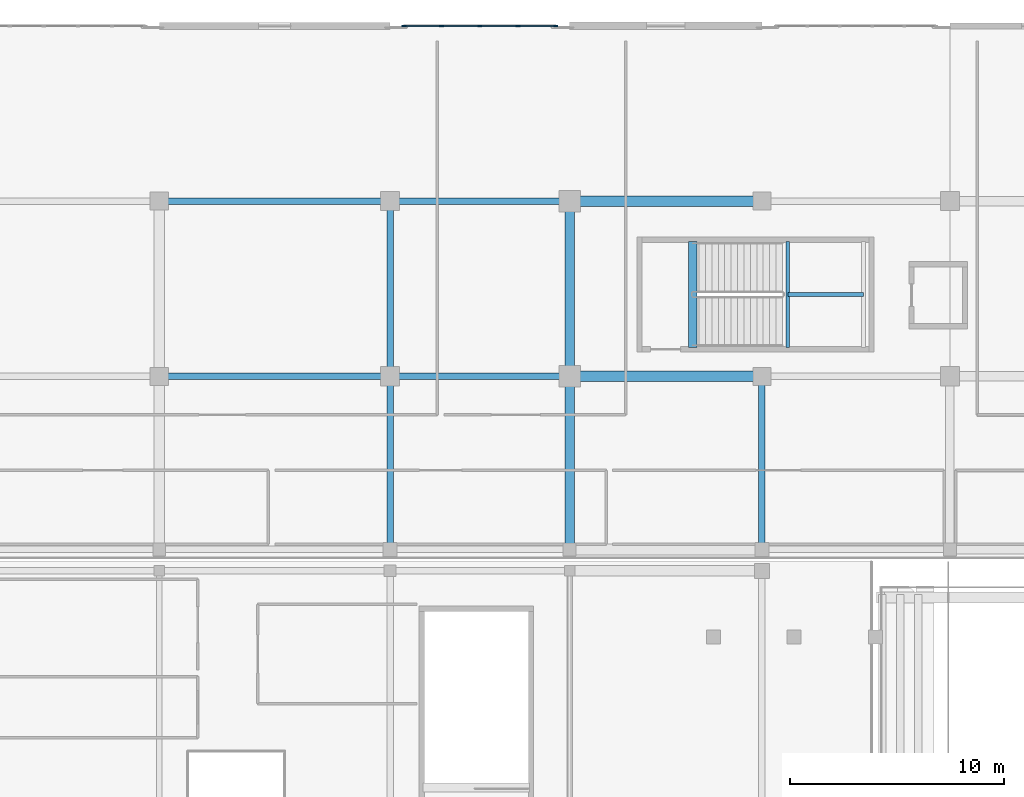
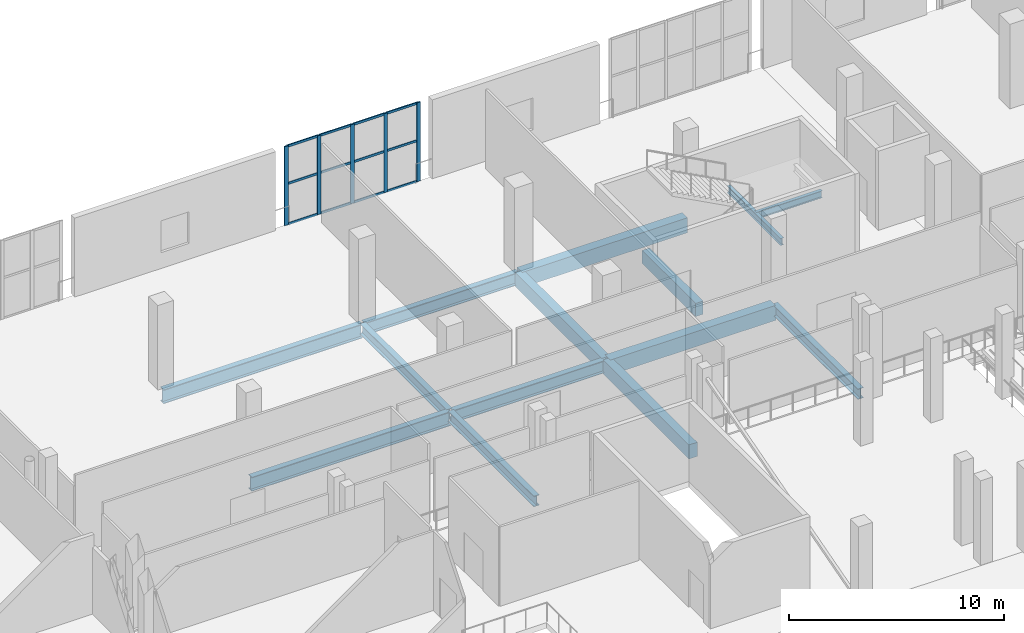
# One storey, part 49 of 129: 17 members, 14 beams, 1 element without a shape of its own.
"""IFC4 building model written with IfcOpenShell, lengths in metres."""

from ifc_helpers import new_model, si_unit, direction, frame, origin, origin_2d, place, context, subcontext, project, spatial, rectangle, i_section, extrude, material, material_profile, profile_set, type_object, element, aggregate, save


model = new_model("IFC4")

# Units and contexts
model_context = context("Model", 3, precision=1e-05, world=origin(), true_north=direction((0.0, 1.0)))
body_context = subcontext(model_context, "Body", "Model", "MODEL_VIEW")
ifc_project = project(units=[si_unit("LENGTHUNIT", "METRE"), si_unit("AREAUNIT", "SQUARE_METRE"), si_unit("VOLUMEUNIT", "CUBIC_METRE"), si_unit("PLANEANGLEUNIT", "RADIAN"), si_unit("MASSUNIT", "GRAM", prefix="KILO")], contexts=[model_context])

# Site, building, storey
site_placement = place(None, origin())
site = spatial("IfcSite", under=ifc_project, at=site_placement, CompositionType="ELEMENT")
building_placement = place(site_placement, origin())
building = spatial("IfcBuilding", under=site, at=building_placement, Name="Koshinbarg Plaza Stadium", CompositionType="ELEMENT")
storey_placement = place(building_placement, frame((0.0, 0.0, 5.39990234375)))
storey = spatial("IfcBuildingStorey", under=building, at=storey_placement, Name="L01", CompositionType="ELEMENT", Elevation=5.39990234375)

# Beams
ifc_material_1 = material(Name="Concrete C40/50", Category="concrete")
ifc_material_profile_1 = material_profile(ifc_material_1, rectangle(XDim=0.39990234375, YDim=0.75, at=origin_2d()), Name="RC 400x750")
ifc_profile_set_1 = profile_set([ifc_material_profile_1], Name="Concrete C40/50")
beam_type_1 = type_object("IfcBeamType", Name="BM-RCG-03", PredefinedType="USERDEFINED", material=ifc_profile_set_1)
beam_1_placement = place(storey_placement, frame((60.360107421875, 136.949951171875, -0.375), z_axis=(0.0, 1.0, 0.0), x_axis=(-1.0, 0.0, 0.0)))
element("IfcBeam", 1, at=beam_1_placement, inside=storey, type_object=beam_type_1, Name="L01 stair landing header beam C11", ObjectType="GIRDER", PredefinedType="USERDEFINED", context=body_context, shape_type="SweptSolid", body=[
    extrude(rectangle(XDim=0.39990234375, YDim=0.75, at=origin_2d()), origin(), (0.0, 0.0, 1.0), 4.969970703125),
])
ifc_material_profile_2 = material_profile(ifc_material_1, rectangle(XDim=0.449951171875, YDim=0.800048828125, at=origin_2d()), Name="RC 450x800")
ifc_profile_set_2 = profile_set([ifc_material_profile_2], Name="Concrete C40/50")
beam_type_2 = type_object("IfcBeamType", Name="BM-RCG-04", PredefinedType="USERDEFINED", material=ifc_profile_set_2)
beam_2_placement = place(storey_placement, frame((54.60009765625, 127.56005859375, -0.719970703125), z_axis=(0.0, 1.0, 0.0), x_axis=(-1.0, 0.0, 0.0)))
element("IfcBeam", 2, at=beam_2_placement, inside=storey, type_object=beam_type_2, Name="L01 Y girder 8/S-T", ObjectType="GIRDER", PredefinedType="USERDEFINED", context=body_context, shape_type="SweptSolid", body=[
    extrude(rectangle(XDim=0.449951171875, YDim=0.800048828125, at=origin_2d()), origin(), (0.0, 0.0, 1.0), 7.97998046875),
])
beam_3_placement = place(storey_placement, frame((54.60009765625, 135.659912109375, -0.719970703125), z_axis=(0.0, 1.0, 0.0), x_axis=(-1.0, 0.0, 0.0)))
element("IfcBeam", 3, at=beam_3_placement, inside=storey, type_object=beam_type_2, Name="L01 Y girder 8/T-U", ObjectType="GIRDER", PredefinedType="USERDEFINED", context=body_context, shape_type="SweptSolid", body=[
    extrude(rectangle(XDim=0.449951171875, YDim=0.800048828125, at=origin_2d()), origin(), (0.0, 0.0, 1.0), 8.080078125),
])
ifc_material_profile_3 = material_profile(ifc_material_1, rectangle(XDim=0.5, YDim=0.85009765625, at=origin_2d()), Name="RC 500x850")
ifc_profile_set_3 = profile_set([ifc_material_profile_3], Name="Concrete C40/50")
beam_type_3 = type_object("IfcBeamType", Name="BM-RCG-05", PredefinedType="USERDEFINED", material=ifc_profile_set_3)
for number, where, z_axis, x_axis, name in (
    (4, (54.659912109375, 135.60009765625, -0.744873046875), (1.0, 0.0, 0.0), (0.0, 1.0, 0.0), "L01 X girder T/8-9"),
    (5, (54.659912109375, 143.800048828125, -0.744873046875), (1.0, 0.0, 0.0), (0.0, 1.0, 0.0), "L01 X girder U/8-9"),
):
    element("IfcBeam", number, at=place(storey_placement, frame(where, z_axis=z_axis, x_axis=x_axis)), inside=storey, type_object=beam_type_3, Name=name, ObjectType="GIRDER", PredefinedType="USERDEFINED", context=body_context, shape_type="SweptSolid", body=[
        extrude(rectangle(XDim=0.5, YDim=0.85009765625, at=origin_2d()), origin(), (0.0, 0.0, 1.0), 8.880126953125),
    ])
ifc_material_2 = material(Name="Steel S355", Category="steel")
ifc_material_profile_4 = material_profile(ifc_material_2, i_section(OverallWidth=0.179931640625, OverallDepth=0.39990234375, WebThickness=0.008544921875, FlangeThickness=0.013427734375, at=origin_2d()), Name="IPE 400")
ifc_profile_set_4 = profile_set([ifc_material_profile_4], Name="Steel S355")
beam_type_4 = type_object("IfcBeamType", Name="BM-SBM-01", PredefinedType="BEAM", material=ifc_profile_set_4)
beam_4_placement = place(storey_placement, frame((64.81005859375, 136.949951171875, 1.880126953125), z_axis=(0.0, 1.0, 0.0), x_axis=(-1.0, 0.0, 0.0)))
element("IfcBeam", 6, at=beam_4_placement, inside=storey, type_object=beam_type_4, Name="L01 Protected Exit Stair C11 landing trimmer beam 1", PredefinedType="BEAM", context=body_context, shape_type="SweptSolid", body=[
    extrude(i_section(OverallWidth=0.179931640625, OverallDepth=0.39990234375, WebThickness=0.008544921875, FlangeThickness=0.013427734375, at=origin_2d()), origin(), (0.0, 0.0, 1.0), 4.969970703125),
])
beam_5_placement = place(storey_placement, frame((64.81005859375, 139.43505859375, 1.880126953125), z_axis=(1.0, 0.0, 0.0), x_axis=(0.0, 1.0, 0.0)))
element("IfcBeam", 7, at=beam_5_placement, inside=storey, type_object=beam_type_4, Name="L01 Protected Exit Stair C11 landing trimmer beam 3", PredefinedType="BEAM", context=body_context, shape_type="SweptSolid", body=[
    extrude(i_section(OverallWidth=0.179931640625, OverallDepth=0.39990234375, WebThickness=0.008544921875, FlangeThickness=0.013427734375, at=origin_2d()), origin(), (0.0, 0.0, 1.0), 3.5400390625),
])
ifc_material_profile_5 = material_profile(ifc_material_2, i_section(OverallWidth=0.300048828125, OverallDepth=0.60009765625, WebThickness=0.015380859375, FlangeThickness=0.030029296875, at=origin_2d()), Name="HEB 600")
ifc_profile_set_5 = profile_set([ifc_material_profile_5], Name="Steel S355")
beam_type_5 = type_object("IfcBeamType", Name="BM-SGIR-02", PredefinedType="USERDEFINED", material=ifc_profile_set_5)
beam_6_placement = place(storey_placement, frame((46.199951171875, 127.56005859375, -0.619873046875), z_axis=(0.0, 1.0, 0.0), x_axis=(-1.0, 0.0, 0.0)))
element("IfcBeam", 8, at=beam_6_placement, inside=storey, type_object=beam_type_5, Name="L01 Y girder 7/S-T", ObjectType="GIRDER", PredefinedType="USERDEFINED", context=body_context, shape_type="SweptSolid", body=[
    extrude(i_section(OverallWidth=0.300048828125, OverallDepth=0.60009765625, WebThickness=0.015380859375, FlangeThickness=0.030029296875, at=origin_2d()), origin(), (0.0, 0.0, 1.0), 7.97998046875),
])
beam_7_placement = place(storey_placement, frame((46.199951171875, 135.659912109375, -0.619873046875), z_axis=(0.0, 1.0, 0.0), x_axis=(-1.0, 0.0, 0.0)))
element("IfcBeam", 9, at=beam_7_placement, inside=storey, type_object=beam_type_5, Name="L01 Y girder 7/T-U", ObjectType="GIRDER", PredefinedType="USERDEFINED", context=body_context, shape_type="SweptSolid", body=[
    extrude(i_section(OverallWidth=0.300048828125, OverallDepth=0.60009765625, WebThickness=0.015380859375, FlangeThickness=0.030029296875, at=origin_2d()), origin(), (0.0, 0.0, 1.0), 8.080078125),
])
beam_8_placement = place(storey_placement, frame((63.60009765625, 127.56005859375, -0.619873046875), z_axis=(0.0, 1.0, 0.0), x_axis=(-1.0, 0.0, 0.0)))
element("IfcBeam", 10, at=beam_8_placement, inside=storey, type_object=beam_type_5, Name="L01 Y girder 9/S-T", ObjectType="GIRDER", PredefinedType="USERDEFINED", context=body_context, shape_type="SweptSolid", body=[
    extrude(i_section(OverallWidth=0.300048828125, OverallDepth=0.60009765625, WebThickness=0.015380859375, FlangeThickness=0.030029296875, at=origin_2d()), origin(), (0.0, 0.0, 1.0), 7.97998046875),
])
ifc_material_profile_6 = material_profile(ifc_material_2, i_section(OverallWidth=0.300048828125, OverallDepth=0.699951171875, WebThickness=0.01708984375, FlangeThickness=0.031982421875, at=origin_2d()), Name="HEB 700")
ifc_profile_set_6 = profile_set([ifc_material_profile_6], Name="Steel S355")
beam_type_6 = type_object("IfcBeamType", Name="BM-SGIR-03", PredefinedType="USERDEFINED", material=ifc_profile_set_6)
for number, where, z_axis, x_axis, name in (
    (11, (46.260009765625, 135.60009765625, -0.669921875), (1.0, 0.0, 0.0), (0.0, 1.0, 0.0), "L01 X girder T/7-8"),
    (12, (46.260009765625, 143.800048828125, -0.669921875), (1.0, 0.0, 0.0), (0.0, 1.0, 0.0), "L01 X girder U/7-8"),
):
    element("IfcBeam", number, at=place(storey_placement, frame(where, z_axis=z_axis, x_axis=x_axis)), inside=storey, type_object=beam_type_6, Name=name, ObjectType="GIRDER", PredefinedType="USERDEFINED", context=body_context, shape_type="SweptSolid", body=[
        extrude(i_section(OverallWidth=0.300048828125, OverallDepth=0.699951171875, WebThickness=0.01708984375, FlangeThickness=0.031982421875, at=origin_2d()), origin(), (0.0, 0.0, 1.0), 8.280029296875),
    ])
ifc_material_profile_7 = material_profile(ifc_material_2, i_section(OverallWidth=0.300048828125, OverallDepth=0.800048828125, WebThickness=0.017578125, FlangeThickness=0.032958984375, at=origin_2d()), Name="HEB 800")
ifc_profile_set_7 = profile_set([ifc_material_profile_7], Name="Steel S355")
beam_type_7 = type_object("IfcBeamType", Name="BM-SGIR-04", PredefinedType="USERDEFINED", material=ifc_profile_set_7)
for number, where, z_axis, x_axis, name in (
    (13, (35.4599609375, 135.60009765625, -0.719970703125), (1.0, 0.0, 0.0), (0.0, 1.0, 0.0), "L01 X girder T/6-7"),
    (14, (35.4599609375, 143.800048828125, -0.719970703125), (1.0, 0.0, 0.0), (0.0, 1.0, 0.0), "L01 X girder U/6-7"),
):
    element("IfcBeam", number, at=place(storey_placement, frame(where, z_axis=z_axis, x_axis=x_axis)), inside=storey, type_object=beam_type_7, Name=name, ObjectType="GIRDER", PredefinedType="USERDEFINED", context=body_context, shape_type="SweptSolid", body=[
        extrude(i_section(OverallWidth=0.300048828125, OverallDepth=0.800048828125, WebThickness=0.017578125, FlangeThickness=0.032958984375, at=origin_2d()), origin(), (0.0, 0.0, 1.0), 10.679931640625),
    ])

# Curtain wall, members
ifc_material_3 = material(Name="Thermally broken anodised aluminium and low-E double glazing", Category="aluminium")
curtain_wall_type = type_object("IfcCurtainWallType", Name="CW-SYS-12", PredefinedType="NOTDEFINED", material=ifc_material_3)
curtain_wall_placement = place(storey_placement, origin())
curtain_wall = element("IfcCurtainWall", 15, at=curtain_wall_placement, inside=storey, type_object=curtain_wall_type, Name="L01 unitised curtain wall CW-L01-011", PredefinedType="NOTDEFINED")
ifc_material_4 = material(Name="Anodised aluminium mullion", Category="aluminium")
ifc_material_profile_8 = material_profile(ifc_material_4, rectangle(XDim=0.070068359375, YDim=0.199951171875, at=origin_2d()), Name="ALU 70x200")
ifc_profile_set_8 = profile_set([ifc_material_profile_8], Name="Anodised aluminium mullion")
member_type_1 = type_object("IfcMemberType", Name="CW-MUL-04", PredefinedType="MULLION", material=ifc_profile_set_8)
member_1_placement = place(storey_placement, frame((46.85009765625, 152.0, 0.0), z_axis=(0.0, 0.0, 1.0), x_axis=(0.0, 1.0, 0.0)))
member_1 = element("IfcMember", 16, at=member_1_placement, type_object=member_type_1, Name="CW12 mullion 1", PredefinedType="MULLION", context=body_context, shape_type="SweptSolid", body=[
    extrude(rectangle(XDim=0.070068359375, YDim=0.199951171875, at=origin_2d()), origin(), (0.0, 0.0, 1.0), 4.47998046875),
])
member_2_placement = place(storey_placement, frame((48.610107421875, 152.0, 0.0), z_axis=(0.0, 0.0, 1.0), x_axis=(0.0, 1.0, 0.0)))
member_2 = element("IfcMember", 17, at=member_2_placement, type_object=member_type_1, Name="CW12 mullion 2", PredefinedType="MULLION", context=body_context, shape_type="SweptSolid", body=[
    extrude(rectangle(XDim=0.070068359375, YDim=0.199951171875, at=origin_2d()), origin(), (0.0, 0.0, 1.0), 4.47998046875),
])
member_3_placement = place(storey_placement, frame((50.39990234375, 152.0, 0.0), z_axis=(0.0, 0.0, 1.0), x_axis=(0.0, 1.0, 0.0)))
member_3 = element("IfcMember", 18, at=member_3_placement, type_object=member_type_1, Name="CW12 mullion 3", PredefinedType="MULLION", context=body_context, shape_type="SweptSolid", body=[
    extrude(rectangle(XDim=0.070068359375, YDim=0.199951171875, at=origin_2d()), origin(), (0.0, 0.0, 1.0), 4.47998046875),
])
member_4_placement = place(storey_placement, frame((52.18994140625, 152.0, 0.0), z_axis=(0.0, 0.0, 1.0), x_axis=(0.0, 1.0, 0.0)))
member_4 = element("IfcMember", 19, at=member_4_placement, type_object=member_type_1, Name="CW12 mullion 4", PredefinedType="MULLION", context=body_context, shape_type="SweptSolid", body=[
    extrude(rectangle(XDim=0.070068359375, YDim=0.199951171875, at=origin_2d()), origin(), (0.0, 0.0, 1.0), 4.47998046875),
])
member_5_placement = place(storey_placement, frame((53.949951171875, 152.0, 0.0), z_axis=(0.0, 0.0, 1.0), x_axis=(0.0, 1.0, 0.0)))
member_5 = element("IfcMember", 20, at=member_5_placement, type_object=member_type_1, Name="CW12 mullion 5", PredefinedType="MULLION", context=body_context, shape_type="SweptSolid", body=[
    extrude(rectangle(XDim=0.070068359375, YDim=0.199951171875, at=origin_2d()), origin(), (0.0, 0.0, 1.0), 4.47998046875),
])
ifc_material_5 = material(Name="Anodised aluminium transom", Category="aluminium")
ifc_material_profile_9 = material_profile(ifc_material_5, rectangle(XDim=0.06005859375, YDim=0.1298828125, at=origin_2d()), Name="ALU 60x130")
ifc_profile_set_9 = profile_set([ifc_material_profile_9], Name="Anodised aluminium transom")
member_type_2 = type_object("IfcMemberType", Name="CW-TRN-02", PredefinedType="USERDEFINED", material=ifc_profile_set_9)
member_6_placement = place(storey_placement, frame((46.8798828125, 152.0, 0.030029296875), z_axis=(1.0, 0.0, 0.0), x_axis=(0.0, 1.0, 0.0)))
member_6 = element("IfcMember", 21, at=member_6_placement, type_object=member_type_2, Name="CW12 transom 1.1", ObjectType="TRANSOM", PredefinedType="USERDEFINED", context=body_context, shape_type="SweptSolid", body=[
    extrude(rectangle(XDim=0.06005859375, YDim=0.1298828125, at=origin_2d()), origin(), (0.0, 0.0, 1.0), 1.7001953125),
])
member_7_placement = place(storey_placement, frame((46.8798828125, 152.0, 2.32958984375), z_axis=(1.0, 0.0, 0.0), x_axis=(0.0, 1.0, 0.0)))
member_7 = element("IfcMember", 22, at=member_7_placement, type_object=member_type_2, Name="CW12 transom 1.2", ObjectType="TRANSOM", PredefinedType="USERDEFINED", context=body_context, shape_type="SweptSolid", body=[
    extrude(rectangle(XDim=0.06005859375, YDim=0.1298828125, at=origin_2d()), origin(), (0.0, 0.0, 1.0), 1.7001953125),
])
member_8_placement = place(storey_placement, frame((46.8798828125, 152.0, 4.4501953125), z_axis=(1.0, 0.0, 0.0), x_axis=(0.0, 1.0, 0.0)))
member_8 = element("IfcMember", 23, at=member_8_placement, type_object=member_type_2, Name="CW12 transom 1.3", ObjectType="TRANSOM", PredefinedType="USERDEFINED", context=body_context, shape_type="SweptSolid", body=[
    extrude(rectangle(XDim=0.06005859375, YDim=0.1298828125, at=origin_2d()), origin(), (0.0, 0.0, 1.0), 1.7001953125),
])
member_9_placement = place(storey_placement, frame((48.639892578125, 152.0, 0.030029296875), z_axis=(1.0, 0.0, 0.0), x_axis=(0.0, 1.0, 0.0)))
member_9 = element("IfcMember", 24, at=member_9_placement, type_object=member_type_2, Name="CW12 transom 2.1", ObjectType="TRANSOM", PredefinedType="USERDEFINED", context=body_context, shape_type="SweptSolid", body=[
    extrude(rectangle(XDim=0.06005859375, YDim=0.1298828125, at=origin_2d()), origin(), (0.0, 0.0, 1.0), 1.730224609375),
])
member_10_placement = place(storey_placement, frame((48.639892578125, 152.0, 2.32958984375), z_axis=(1.0, 0.0, 0.0), x_axis=(0.0, 1.0, 0.0)))
member_10 = element("IfcMember", 25, at=member_10_placement, type_object=member_type_2, Name="CW12 transom 2.2", ObjectType="TRANSOM", PredefinedType="USERDEFINED", context=body_context, shape_type="SweptSolid", body=[
    extrude(rectangle(XDim=0.06005859375, YDim=0.1298828125, at=origin_2d()), origin(), (0.0, 0.0, 1.0), 1.730224609375),
])
member_11_placement = place(storey_placement, frame((48.639892578125, 152.0, 4.4501953125), z_axis=(1.0, 0.0, 0.0), x_axis=(0.0, 1.0, 0.0)))
member_11 = element("IfcMember", 26, at=member_11_placement, type_object=member_type_2, Name="CW12 transom 2.3", ObjectType="TRANSOM", PredefinedType="USERDEFINED", context=body_context, shape_type="SweptSolid", body=[
    extrude(rectangle(XDim=0.06005859375, YDim=0.1298828125, at=origin_2d()), origin(), (0.0, 0.0, 1.0), 1.730224609375),
])
member_12_placement = place(storey_placement, frame((50.429931640625, 152.0, 0.030029296875), z_axis=(1.0, 0.0, 0.0), x_axis=(0.0, 1.0, 0.0)))
member_12 = element("IfcMember", 27, at=member_12_placement, type_object=member_type_2, Name="CW12 transom 3.1", ObjectType="TRANSOM", PredefinedType="USERDEFINED", context=body_context, shape_type="SweptSolid", body=[
    extrude(rectangle(XDim=0.06005859375, YDim=0.1298828125, at=origin_2d()), origin(), (0.0, 0.0, 1.0), 1.72998046875),
])
member_13_placement = place(storey_placement, frame((50.429931640625, 152.0, 2.32958984375), z_axis=(1.0, 0.0, 0.0), x_axis=(0.0, 1.0, 0.0)))
member_13 = element("IfcMember", 28, at=member_13_placement, type_object=member_type_2, Name="CW12 transom 3.2", ObjectType="TRANSOM", PredefinedType="USERDEFINED", context=body_context, shape_type="SweptSolid", body=[
    extrude(rectangle(XDim=0.06005859375, YDim=0.1298828125, at=origin_2d()), origin(), (0.0, 0.0, 1.0), 1.72998046875),
])
member_14_placement = place(storey_placement, frame((50.429931640625, 152.0, 4.4501953125), z_axis=(1.0, 0.0, 0.0), x_axis=(0.0, 1.0, 0.0)))
member_14 = element("IfcMember", 29, at=member_14_placement, type_object=member_type_2, Name="CW12 transom 3.3", ObjectType="TRANSOM", PredefinedType="USERDEFINED", context=body_context, shape_type="SweptSolid", body=[
    extrude(rectangle(XDim=0.06005859375, YDim=0.1298828125, at=origin_2d()), origin(), (0.0, 0.0, 1.0), 1.72998046875),
])
member_15_placement = place(storey_placement, frame((52.219970703125, 152.0, 0.030029296875), z_axis=(1.0, 0.0, 0.0), x_axis=(0.0, 1.0, 0.0)))
member_15 = element("IfcMember", 30, at=member_15_placement, type_object=member_type_2, Name="CW12 transom 4.1", ObjectType="TRANSOM", PredefinedType="USERDEFINED", context=body_context, shape_type="SweptSolid", body=[
    extrude(rectangle(XDim=0.06005859375, YDim=0.1298828125, at=origin_2d()), origin(), (0.0, 0.0, 1.0), 1.699951171875),
])
member_16_placement = place(storey_placement, frame((52.219970703125, 152.0, 2.32958984375), z_axis=(1.0, 0.0, 0.0), x_axis=(0.0, 1.0, 0.0)))
member_16 = element("IfcMember", 31, at=member_16_placement, type_object=member_type_2, Name="CW12 transom 4.2", ObjectType="TRANSOM", PredefinedType="USERDEFINED", context=body_context, shape_type="SweptSolid", body=[
    extrude(rectangle(XDim=0.06005859375, YDim=0.1298828125, at=origin_2d()), origin(), (0.0, 0.0, 1.0), 1.699951171875),
])
member_17_placement = place(storey_placement, frame((52.219970703125, 152.0, 4.4501953125), z_axis=(1.0, 0.0, 0.0), x_axis=(0.0, 1.0, 0.0)))
member_17 = element("IfcMember", 32, at=member_17_placement, type_object=member_type_2, Name="CW12 transom 4.3", ObjectType="TRANSOM", PredefinedType="USERDEFINED", context=body_context, shape_type="SweptSolid", body=[
    extrude(rectangle(XDim=0.06005859375, YDim=0.1298828125, at=origin_2d()), origin(), (0.0, 0.0, 1.0), 1.699951171875),
])
aggregate(curtain_wall, [member_1, member_2, member_3, member_4, member_5, member_6, member_7, member_8, member_9, member_10, member_11, member_12, member_13, member_14, member_15, member_16, member_17])

save(model, "model.ifc")
